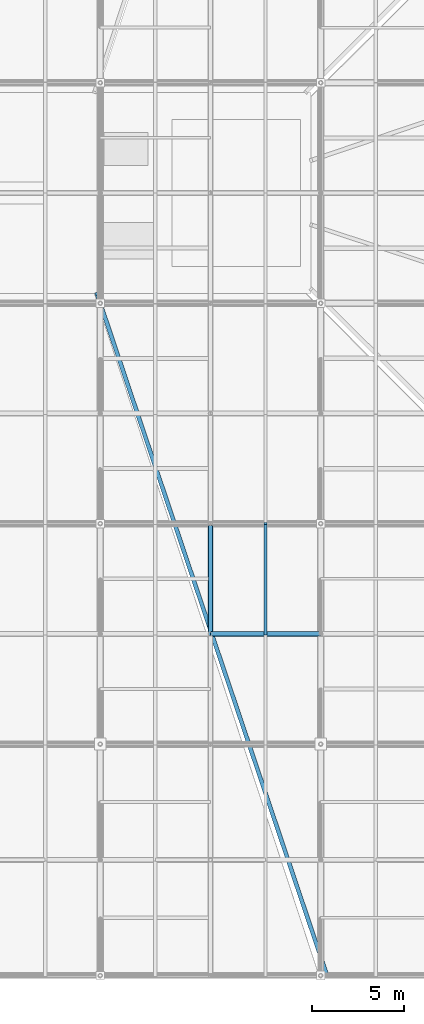
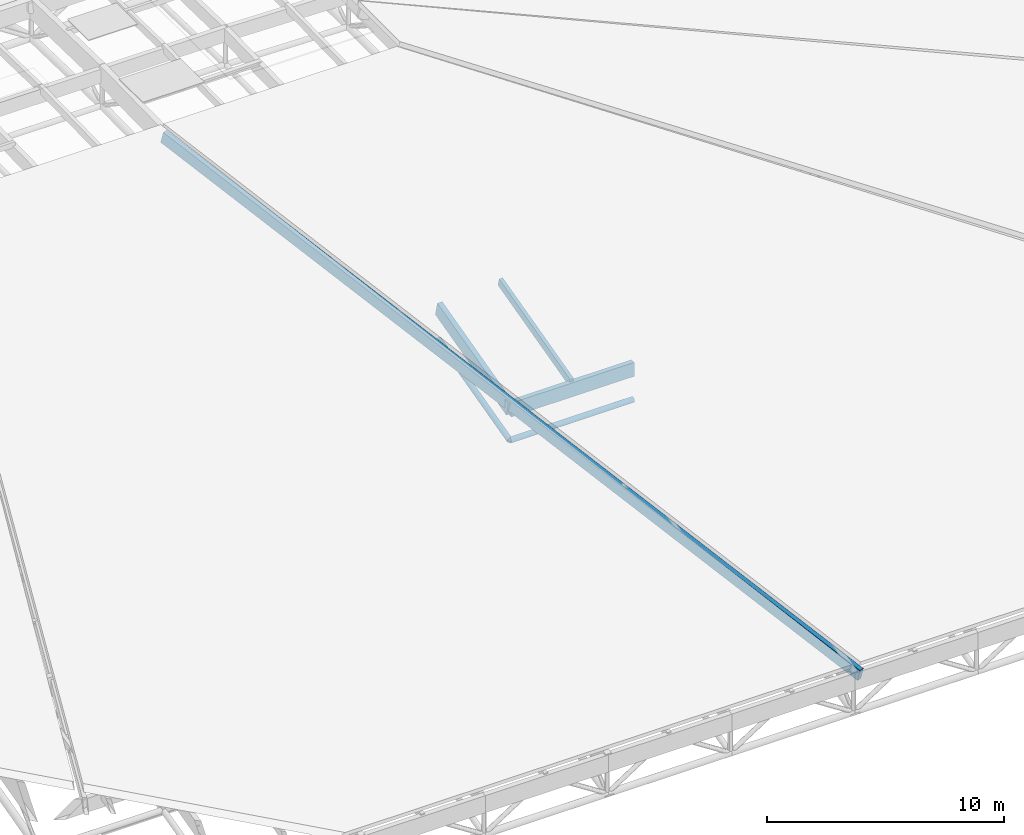
# One storey, part 27 of 80: 6 members.
"""IFC4 building model written with IfcOpenShell, lengths in metres."""

from ifc_helpers import new_model, si_unit, direction, frame, origin, origin_2d, place, context, subcontext, project, spatial, rectangle, hollow_circle, extrude, material, material_profile, profile_set, type_object, element, save


model = new_model("IFC4")

# Units and contexts
model_context = context("Model", 3, precision=1e-05, world=origin(), true_north=direction((0.0, 1.0)))
body_context = subcontext(model_context, "Body", "Model", "MODEL_VIEW")
ifc_project = project(units=[si_unit("LENGTHUNIT", "METRE"), si_unit("AREAUNIT", "SQUARE_METRE"), si_unit("VOLUMEUNIT", "CUBIC_METRE"), si_unit("PLANEANGLEUNIT", "RADIAN"), si_unit("MASSUNIT", "GRAM", prefix="KILO"), si_unit("THERMODYNAMICTEMPERATUREUNIT", "KELVIN"), si_unit("POWERUNIT", "WATT")], contexts=[model_context])

# Site, building, storey
site_placement = place(None, origin())
site = spatial("IfcSite", under=ifc_project, at=site_placement, CompositionType="ELEMENT")
building_placement = place(site_placement, origin())
building = spatial("IfcBuilding", under=site, at=building_placement, Name="Solmara Park Aquatics Centre", CompositionType="ELEMENT")
storey_placement = place(building_placement, frame((0.0, 0.0, 22.800048828125)))
storey = spatial("IfcBuildingStorey", under=building, at=storey_placement, Name="RF", CompositionType="ELEMENT", Elevation=22.800048828125)

# Members
ifc_material_1 = material(Name="Structural Steel S355", Category="steel")
ifc_material_profile_1 = material_profile(ifc_material_1, hollow_circle(Radius=0.136474609375, WallThickness=0.012451171875, at=origin_2d()), Name="CHS 273x12.5")
ifc_profile_set_1 = profile_set([ifc_material_profile_1], Name="Structural Steel S355")
member_type_1 = type_object("IfcMemberType", Name="STR-CHD-CHS273", PredefinedType="CHORD", material=ifc_profile_set_1)
member_1_placement = place(storey_placement, frame((66.60009765625, 18.60009765625, -9.58984375), z_axis=(1.0, 0.0, 0.0), x_axis=(0.0, 1.0, 0.0)))
element("IfcMember", 1, at=member_1_placement, inside=storey, type_object=member_type_1, Name="Steel Roof Truss Bottom Chord X 0132", PredefinedType="CHORD", context=body_context, shape_type="SweptSolid", body=[
    extrude(hollow_circle(Radius=0.136474609375, WallThickness=0.012451171875, at=origin_2d()), origin(), (0.0, 0.0, 1.0), 6.0),
])
member_2_placement = place(storey_placement, frame((66.60009765625, 18.60009765625, -9.58984375), z_axis=(0.0, 0.968145594442, 0.250387914969), x_axis=(-1.0, 0.0, 0.0)))
element("IfcMember", 2, at=member_2_placement, inside=storey, type_object=member_type_1, Name="Steel Roof Truss Bottom Chord Y 0856", PredefinedType="CHORD", context=body_context, shape_type="SweptSolid", body=[
    extrude(hollow_circle(Radius=0.136474609375, WallThickness=0.012451171875, at=origin_2d()), origin(), (0.0, 0.0, 1.0), 6.197509765625),
])
ifc_material_2 = material(Name="Glulam Timber GL28h", Category="wood")
ifc_material_profile_2 = material_profile(ifc_material_2, rectangle(XDim=0.239990234375, YDim=0.719970703125, at=origin_2d()), Name="GL28h 240x720")
ifc_profile_set_2 = profile_set([ifc_material_profile_2], Name="Glulam Timber GL28h")
member_type_2 = type_object("IfcMemberType", Name="STR-CHD-GL240x720", PredefinedType="CHORD", material=ifc_profile_set_2)
member_3_placement = place(storey_placement, frame((66.60009765625, 18.60009765625, -7.9697265625), z_axis=(1.0, 0.0, 0.0), x_axis=(0.0, 1.0, 0.0)))
element("IfcMember", 3, at=member_3_placement, inside=storey, type_object=member_type_2, Name="Glulam Roof Truss Top Chord X 0131", PredefinedType="CHORD", context=body_context, shape_type="SweptSolid", body=[
    extrude(rectangle(XDim=0.239990234375, YDim=0.719970703125, at=origin_2d()), origin(), (0.0, 0.0, 1.0), 6.0),
])
member_4_placement = place(storey_placement, frame((66.60009765625, 18.60009765625, -7.9697265625), z_axis=(0.0, 0.968145594442, 0.250387914969), x_axis=(-1.0, 0.0, 0.0)))
element("IfcMember", 4, at=member_4_placement, inside=storey, type_object=member_type_2, Name="Glulam Roof Truss Top Chord Y 0855", PredefinedType="CHORD", context=body_context, shape_type="SweptSolid", body=[
    extrude(rectangle(XDim=0.239990234375, YDim=0.719970703125, at=origin_2d()), origin(), (0.0, 0.0, 1.0), 6.197509765625),
])
ifc_material_profile_3 = material_profile(ifc_material_2, rectangle(XDim=0.179931640625, YDim=0.39990234375, at=origin_2d()), Name="GL28h 180x400")
ifc_profile_set_3 = profile_set([ifc_material_profile_3], Name="Glulam Timber GL28h")
member_type_3 = type_object("IfcMemberType", Name="STR-PRL-GL180x400", PredefinedType="PURLIN", material=ifc_profile_set_3)
member_5_placement = place(storey_placement, frame((69.60009765625, 18.60009765625, -7.649658203125), z_axis=(0.0, 0.968155143395, 0.250350990246), x_axis=(-1.0, 0.0, 0.0)))
element("IfcMember", 5, at=member_5_placement, inside=storey, type_object=member_type_3, Name="Glulam Roof Purlin 1656", PredefinedType="PURLIN", context=body_context, shape_type="SweptSolid", body=[
    extrude(rectangle(XDim=0.179931640625, YDim=0.39990234375, at=origin_2d()), origin(), (0.0, 0.0, 1.0), 6.197265625),
])
ifc_material_profile_4 = material_profile(ifc_material_2, rectangle(XDim=0.219970703125, YDim=0.60009765625, at=origin_2d()), Name="GL28h 220x600")
ifc_profile_set_4 = profile_set([ifc_material_profile_4], Name="Glulam Timber GL28h")
member_type_4 = type_object("IfcMemberType", Name="STR-RFT-GL220x600", PredefinedType="RAFTER", material=ifc_profile_set_4)
member_6_placement = place(storey_placement, frame((72.944091796875, 0.0, -12.60009765625), z_axis=(-0.310448361357, 0.920310605669, 0.238013033307), x_axis=(-0.947541078583, -0.319634016334, 0.0)))
element("IfcMember", 6, at=member_6_placement, inside=storey, type_object=member_type_4, Name="Glulam Hip Jack Rafter SOUTH-3", PredefinedType="RAFTER", context=body_context, shape_type="SweptSolid", body=[
    extrude(rectangle(XDim=0.219970703125, YDim=0.60009765625, at=origin_2d()), origin(), (0.0, 0.0, 1.0), 40.334228515625),
])

save(model, "model.ifc")
